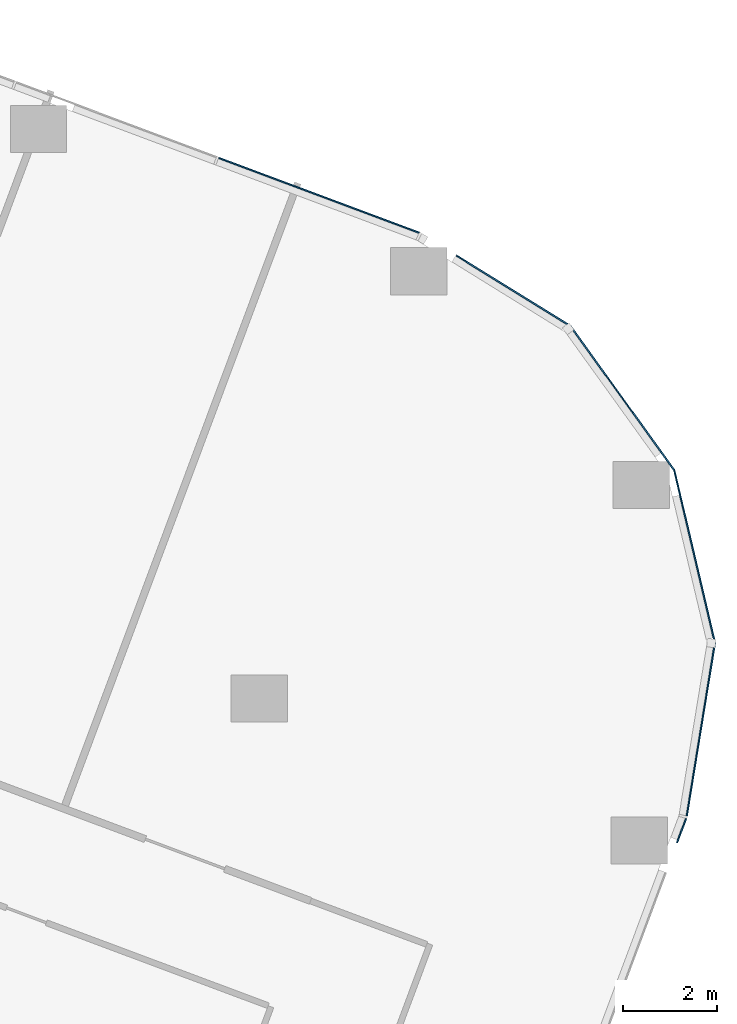
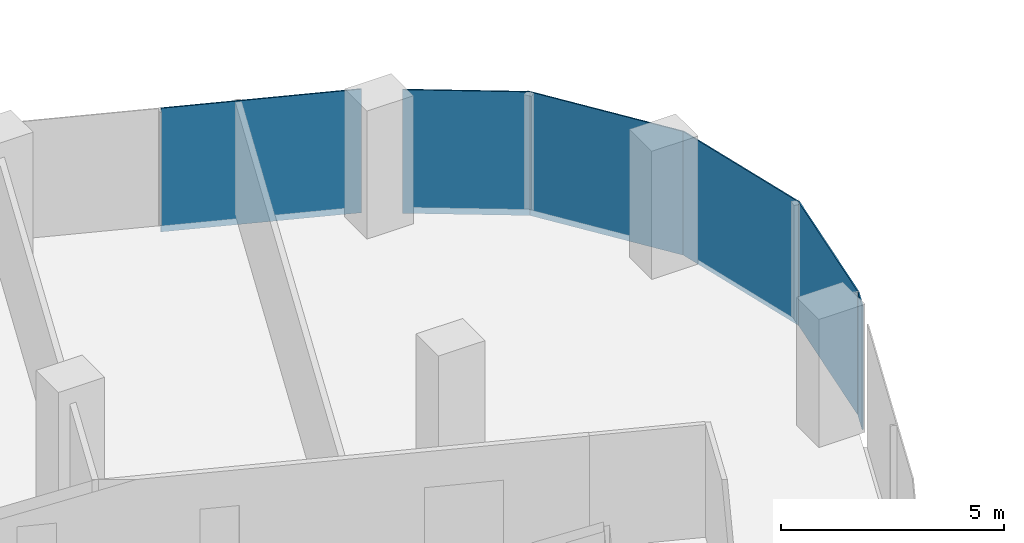
# One storey, part 20 of 31: 6 plates, 6 elements without a shape of their own.
"""IFC4 building model written with IfcOpenShell, lengths in metres."""

from ifc_helpers import new_model, si_unit, direction, frame, origin, origin_2d, place, context, subcontext, project, spatial, rectangle, extrude, material, layer, layer_set, type_object, element, aggregate, save


model = new_model("IFC4")

# Units and contexts
model_context = context("Model", 3, precision=1e-05, world=origin(), true_north=direction((0.0, 1.0)))
body_context = subcontext(model_context, "Body", "Model", "MODEL_VIEW")
ifc_project = project(units=[si_unit("LENGTHUNIT", "METRE"), si_unit("AREAUNIT", "SQUARE_METRE"), si_unit("VOLUMEUNIT", "CUBIC_METRE"), si_unit("PLANEANGLEUNIT", "RADIAN"), si_unit("MASSUNIT", "GRAM", prefix="KILO")], contexts=[model_context])

# Site, building, storey
site_placement = place(None, origin())
site = spatial("IfcSite", under=ifc_project, at=site_placement, CompositionType="ELEMENT")
building_placement = place(site_placement, origin())
building = spatial("IfcBuilding", under=site, at=building_placement, Name="Orlundy Tower", CompositionType="ELEMENT")
storey_placement = place(building_placement, frame((0.0, 0.0, 87.699951171875)))
storey = spatial("IfcBuildingStorey", under=building, at=storey_placement, Name="L21", CompositionType="ELEMENT", Elevation=87.699951171875)

# Curtain wall, plate
ifc_material_1 = material(Name="Aluminium bronze anodised", Category="aluminium")
curtain_wall_type = type_object("IfcCurtainWallType", Name="CW1 wall", PredefinedType="NOTDEFINED", material=ifc_material_1)
curtain_wall_1_placement = place(storey_placement, origin())
curtain_wall_1 = element("IfcCurtainWall", 1, at=curtain_wall_1_placement, inside=storey, type_object=curtain_wall_type, Name="CW1 run 06", PredefinedType="NOTDEFINED")
ifc_material_2 = material(Name="Tinted glass", Category="glass")
ifc_layer = layer(ifc_material_2, 0.031982421875)
ifc_layer_set = layer_set([ifc_layer], Name="CW1 glass panel 32")
plate_type = type_object("IfcPlateType", Name="CW1 glass panel 32", PredefinedType="CURTAIN_PANEL", material=ifc_layer_set)
plate_1_placement = place(storey_placement, frame((51.75390625, 2.17724609375, -0.27978515625), z_axis=(0.0, 0.0, 1.0), x_axis=(0.93667352363, -0.350203812273, 0.0)))
plate_1 = element("IfcPlate", 2, at=plate_1_placement, type_object=plate_type, Name="CW1 panel", PredefinedType="CURTAIN_PANEL", context=body_context, shape_type="SweptSolid", body=[
    extrude(rectangle(XDim=4.5546875, YDim=0.031982421875, at=origin_2d()), origin(), (0.0, 0.0, 1.0), 3.3798828125),
])
aggregate(curtain_wall_1, [plate_1])

curtain_wall_2_placement = place(storey_placement, origin())
curtain_wall_2 = element("IfcCurtainWall", 3, at=curtain_wall_2_placement, inside=storey, type_object=curtain_wall_type, Name="CW1 run 07", PredefinedType="NOTDEFINED")
plate_2_placement = place(storey_placement, frame((55.89013671875, 0.146240234375, -0.27978515625), z_axis=(0.0, 0.0, 1.0), x_axis=(0.850414609011, -0.526113098849, 0.0)))
plate_2 = element("IfcPlate", 4, at=plate_2_placement, type_object=plate_type, Name="CW1 panel", PredefinedType="CURTAIN_PANEL", context=body_context, shape_type="SweptSolid", body=[
    extrude(rectangle(XDim=2.855224609375, YDim=0.031982421875, at=origin_2d()), origin(), (0.0, 0.0, 1.0), 3.3798828125),
])
aggregate(curtain_wall_2, [plate_2])

curtain_wall_3_placement = place(storey_placement, origin())
curtain_wall_3 = element("IfcCurtainWall", 5, at=curtain_wall_3_placement, inside=storey, type_object=curtain_wall_type, Name="CW1 run 08", PredefinedType="NOTDEFINED")
plate_3_placement = place(storey_placement, frame((58.20556640625, -2.1357421875, -0.27978515625), z_axis=(0.0, 0.0, 1.0), x_axis=(0.584041752233, -0.811723617772, 0.0)))
plate_3 = element("IfcPlate", 6, at=plate_3_placement, type_object=plate_type, Name="CW1 panel", PredefinedType="CURTAIN_PANEL", context=body_context, shape_type="SweptSolid", body=[
    extrude(rectangle(XDim=3.772216796875, YDim=0.031982421875, at=origin_2d()), origin(), (0.0, 0.0, 1.0), 3.3798828125),
])
aggregate(curtain_wall_3, [plate_3])

curtain_wall_4_placement = place(storey_placement, origin())
curtain_wall_4 = element("IfcCurtainWall", 7, at=curtain_wall_4_placement, inside=storey, type_object=curtain_wall_type, Name="CW1 run 09", PredefinedType="NOTDEFINED")
plate_4_placement = place(storey_placement, frame((59.73974609375, -5.50244140625, -0.27978515625), z_axis=(0.0, 0.0, 1.0), x_axis=(0.229309985845, -0.97335344577, 0.0)))
plate_4 = element("IfcPlate", 8, at=plate_4_placement, type_object=plate_type, Name="CW1 panel", PredefinedType="CURTAIN_PANEL", context=body_context, shape_type="SweptSolid", body=[
    extrude(rectangle(XDim=3.77197265625, YDim=0.031982421875, at=origin_2d()), origin(), (0.0, 0.0, 1.0), 3.3798828125),
])
aggregate(curtain_wall_4, [plate_4])

curtain_wall_5_placement = place(storey_placement, origin())
curtain_wall_5 = element("IfcCurtainWall", 9, at=curtain_wall_5_placement, inside=storey, type_object=curtain_wall_type, Name="CW1 run 010", PredefinedType="NOTDEFINED")
plate_5_placement = place(storey_placement, frame((59.872314453125, -9.178955078125, -0.27978515625), z_axis=(0.0, 0.0, 1.0), x_axis=(-0.160810081906, -0.986985368462, 0.0)))
plate_5 = element("IfcPlate", 10, at=plate_5_placement, type_object=plate_type, Name="CW1 panel", PredefinedType="CURTAIN_PANEL", context=body_context, shape_type="SweptSolid", body=[
    extrude(rectangle(XDim=3.72998046875, YDim=0.031982421875, at=origin_2d()), origin(), (0.0, 0.0, 1.0), 3.3798828125),
])
aggregate(curtain_wall_5, [plate_5])

curtain_wall_6_placement = place(storey_placement, origin())
curtain_wall_6 = element("IfcCurtainWall", 11, at=curtain_wall_6_placement, inside=storey, type_object=curtain_wall_type, Name="CW1 run 011", PredefinedType="NOTDEFINED")
plate_6_placement = place(storey_placement, frame((59.463134765625, -11.3251953125, -0.27978515625), z_axis=(0.0, 0.0, 1.0), x_axis=(-0.350194360916, -0.936677057252, 0.0)))
plate_6 = element("IfcPlate", 12, at=plate_6_placement, type_object=plate_type, Name="CW1 panel", PredefinedType="CURTAIN_PANEL", context=body_context, shape_type="SweptSolid", body=[
    extrude(rectangle(XDim=0.549560546875, YDim=0.031982421875, at=origin_2d()), origin(), (0.0, 0.0, 1.0), 3.3798828125),
])
aggregate(curtain_wall_6, [plate_6])

save(model, "model.ifc")
